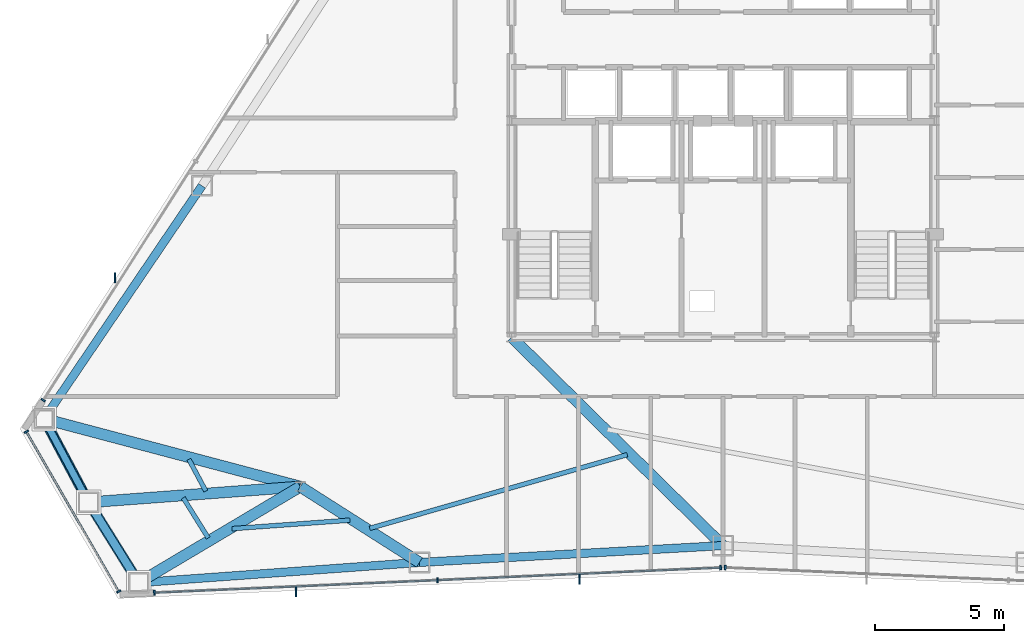
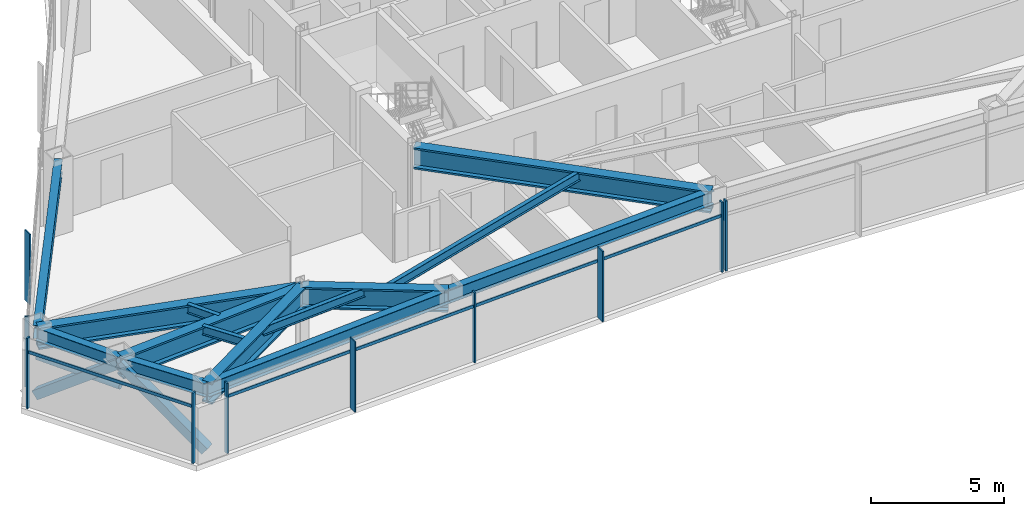
# One storey, part 3 of 13: 15 members, 14 beams, 4 elements without a shape of their own.
"""IFC4 building model written with IfcOpenShell, lengths in metres."""

import ifcopenshell
import ifcopenshell.guid

model = None  # the IFC model being written
_history = None  # IfcOwnerHistory: only IFC2X3 demands one
_inside = {}  # id of a spatial element -> (the spatial element, [elements in it])
_under = {}  # id of a project, library or spatial element -> (it, [spatial elements below it])
_declared = {}  # id of a project -> (the project, [libraries it declares])
_typed = {}  # id of a type object -> (the type object, [elements of that type])
_made_of = {}  # id of a material, layer set ... -> (it, [elements and type objects made of it])


def new_model(schema):
    """Start an empty IFC model of exactly this schema.

    Asked for "IFC4X3", IfcOpenShell would pick the latest addendum, in which some entities
    have other attributes; the version numbers below select the first issue.
    IFC2X3 requires an IfcOwnerHistory on every rooted entity: one is made here for all.
    """
    global model, _history
    if schema == "IFC4X3":
        model = ifcopenshell.file(schema_version=(4, 3, 0, 0))
    else:
        model = ifcopenshell.file(schema=schema)
    _inside.clear()
    _under.clear()
    _declared.clear()
    _typed.clear()
    _made_of.clear()
    _history = None
    if model.schema == "IFC2X3":
        org = make("IfcOrganization", Name="unknown")
        user = make(
            "IfcPersonAndOrganization",
            ThePerson=make("IfcPerson", FamilyName="unknown"),
            TheOrganization=org,
        )
        app = make(
            "IfcApplication",
            ApplicationDeveloper=org,
            Version="unknown",
            ApplicationFullName="unknown",
            ApplicationIdentifier="unknown",
        )
        _history = make(
            "IfcOwnerHistory",
            OwningUser=user,
            OwningApplication=app,
            ChangeAction="ADDED",
            CreationDate=0,
        )
    return model


def make(cls, **values):
    """One entity of the class cls with the attributes given. An attribute that is None is left unset."""
    return model.create_entity(
        cls, **{name: value for name, value in values.items() if value is not None}
    )


def rooted(cls, **values):
    """An entity with a GlobalId (a new one), such as an element, a storey or a relation."""
    return make(cls, GlobalId=ifcopenshell.guid.new(), OwnerHistory=_history, **values)


def si_unit(unit_type, name, prefix=None):
    """IfcSIUnit, for example si_unit("LENGTHUNIT", "METRE", prefix="MILLI")."""
    return make("IfcSIUnit", UnitType=unit_type, Prefix=prefix, Name=name)


def assignment(units):
    """IfcUnitAssignment: the units of a project."""
    return None if units is None else make("IfcUnitAssignment", Units=units)


def point(xyz):
    """IfcCartesianPoint."""
    return None if xyz is None else make("IfcCartesianPoint", Coordinates=xyz)


def direction(xyz):
    """IfcDirection."""
    return None if xyz is None else make("IfcDirection", DirectionRatios=xyz)


def frame(location, z_axis=None, x_axis=None):
    """IfcAxis2Placement3D, a coordinate frame: its origin and axes. An axis left out is left unset."""
    return make(
        "IfcAxis2Placement3D",
        Location=point(location),
        Axis=direction(z_axis),
        RefDirection=direction(x_axis),
    )


def frame_2d(location, x_axis=None):
    """IfcAxis2Placement2D, a coordinate frame in the plane: its origin and x axis."""
    return make(
        "IfcAxis2Placement2D", Location=point(location), RefDirection=direction(x_axis)
    )


def origin():
    """The frame at (0, 0, 0) with its axes left unset."""
    return frame((0.0, 0.0, 0.0))


def origin_2d():
    """The frame at (0, 0) in the plane with its x axis left unset."""
    return frame_2d((0.0, 0.0))


def place(relative_to, where):
    """IfcLocalPlacement: puts the frame where relative to a parent placement (None: the world)."""
    return make(
        "IfcLocalPlacement", PlacementRelTo=relative_to, RelativePlacement=where
    )


def context(
    kind, dimensions, precision=None, world=None, true_north=None, identifier=None
):
    """IfcGeometricRepresentationContext, for example the 3D "Model" context."""
    return make(
        "IfcGeometricRepresentationContext",
        ContextIdentifier=identifier,
        ContextType=kind,
        CoordinateSpaceDimension=dimensions,
        Precision=precision,
        WorldCoordinateSystem=world,
        TrueNorth=true_north,
    )


def subcontext(parent, identifier, kind, view, scale=None):
    """IfcGeometricRepresentationSubContext, for example "Body" below "Model"."""
    return make(
        "IfcGeometricRepresentationSubContext",
        ContextIdentifier=identifier,
        ContextType=kind,
        ParentContext=parent,
        TargetScale=scale,
        TargetView=view,
    )


def project(units=None, contexts=None):
    """IfcProject with its units and contexts."""
    return rooted(
        "IfcProject",
        Name="project",
        RepresentationContexts=contexts,
        UnitsInContext=assignment(units),
    )


def spatial(cls, under=None, at=None, **own):
    """A site, building, storey or space (cls), placed at a placement, below another one or the project."""
    s = rooted(cls, ObjectPlacement=at, **own)
    if under is not None:
        _under.setdefault(under.id(), (under, []))[1].append(s)
    return s


def profile(cls, at=None, kind="AREA", **sizes):
    """A parametric profile (cls). Its sizes go by their IFC names, for example OverallWidth=200.0."""
    return make(cls, ProfileType=kind, Position=at, **sizes)


def rectangle(**sizes):
    """IfcRectangleProfileDef."""
    return profile("IfcRectangleProfileDef", **sizes)


def hollow_rectangle(**sizes):
    """IfcRectangleHollowProfileDef."""
    return profile("IfcRectangleHollowProfileDef", **sizes)


def hollow_circle(**sizes):
    """IfcCircleHollowProfileDef."""
    return profile("IfcCircleHollowProfileDef", **sizes)


def i_section(**sizes):
    """IfcIShapeProfileDef."""
    return profile("IfcIShapeProfileDef", **sizes)


def extrude(swept, where, along, depth):
    """IfcExtrudedAreaSolid: the profile swept, set in the frame where, extruded along a direction by depth."""
    return make(
        "IfcExtrudedAreaSolid",
        SweptArea=swept,
        Position=where,
        ExtrudedDirection=direction(along),
        Depth=depth,
    )


def shape(context_of_items, identifier, shape_type, items):
    """IfcShapeRepresentation: the items that make up one representation, for example the "Body"."""
    return make(
        "IfcShapeRepresentation",
        ContextOfItems=context_of_items,
        RepresentationIdentifier=identifier,
        RepresentationType=shape_type,
        Items=items,
    )


def source(mapping_origin, context_of_items, identifier, shape_type, items):
    """IfcRepresentationMap: a shape defined once, which mapped items show again and again."""
    return make(
        "IfcRepresentationMap",
        MappingOrigin=mapping_origin,
        MappedRepresentation=shape(context_of_items, identifier, shape_type, items),
    )


def transform(
    local_origin,
    x_axis=None,
    y_axis=None,
    z_axis=None,
    scale=None,
    scale2=None,
    scale3=None,
    uniform=True,
):
    """IfcCartesianTransformationOperator3D, or its non-uniform kind. x_axis, y_axis, z_axis: its Axis1, 2, 3."""
    if uniform:
        return make(
            "IfcCartesianTransformationOperator3D",
            Axis1=direction(x_axis),
            Axis2=direction(y_axis),
            LocalOrigin=point(local_origin),
            Scale=scale,
            Axis3=direction(z_axis),
        )
    return make(
        "IfcCartesianTransformationOperator3DnonUniform",
        Axis1=direction(x_axis),
        Axis2=direction(y_axis),
        LocalOrigin=point(local_origin),
        Scale=scale,
        Axis3=direction(z_axis),
        Scale2=scale2,
        Scale3=scale3,
    )


def mapped(mapping_source, mapping_target):
    """IfcMappedItem: shows the shape of a source again, moved by a transform."""
    return make(
        "IfcMappedItem", MappingSource=mapping_source, MappingTarget=mapping_target
    )


def material(Name=None, Category=None):
    """IfcMaterial."""
    return make("IfcMaterial", Name=Name, Category=Category)


def layer(
    of_material, thickness, ventilated=None, Name=None, Category=None, Priority=None
):
    """IfcMaterialLayer: one layer of a wall or slab, of a material (None: an air gap)."""
    return make(
        "IfcMaterialLayer",
        Material=of_material,
        LayerThickness=thickness,
        IsVentilated=ventilated,
        Name=Name,
        Category=Category,
        Priority=Priority,
    )


def layer_set(layers, Name=None):
    """IfcMaterialLayerSet."""
    return make("IfcMaterialLayerSet", MaterialLayers=layers, LayerSetName=Name)


def material_profile(
    of_material, cross_section, Name=None, Category=None, Priority=None
):
    """IfcMaterialProfile: a cross section and its material."""
    return make(
        "IfcMaterialProfile",
        Name=Name,
        Material=of_material,
        Profile=cross_section,
        Priority=Priority,
        Category=Category,
    )


def profile_set(profiles, Name=None, composite=None):
    """IfcMaterialProfileSet."""
    return make(
        "IfcMaterialProfileSet",
        Name=Name,
        MaterialProfiles=profiles,
        CompositeProfile=composite,
    )


def made_of(thing, what):
    """Note that an element or type object is made of a material, layer set ...; save() writes the relation."""
    if what is not None:
        _made_of.setdefault(what.id(), (what, []))[1].append(thing)
    return thing


def type_object(cls, material=None, **own):
    """A type object (cls), such as IfcWallType, which elements share."""
    return made_of(rooted(cls, **own), material)


def type_shapes(of_type, sources):
    """Give a type object the sources (RepresentationMaps) that its elements show as mapped items."""
    of_type.RepresentationMaps = sources


def element(
    cls,
    number,
    at=None,
    inside=None,
    cuts=None,
    type_object=None,
    material=None,
    context=None,
    identifier="Body",
    shape_type=None,
    held_by="IfcProductDefinitionShape",
    body=None,
    shapes=None,
    **own,
):
    """One element of the class cls, such as IfcWall. Its Tag is "e" and its number.

    at: its placement. inside: the storey or other place that contains it. cuts: it is an
    opening in that element (IfcRelVoidsElement). A single representation is given by context,
    identifier, shape_type and body (its items); several are given by shapes. held_by: the class
    of the entity that holds the representations. save() writes the other relations.
    """
    e = rooted(cls, Tag="e%d" % number, ObjectPlacement=at, **own)
    if body is not None:
        shapes = [shape(context, identifier, shape_type, body)]
    if shapes is not None:
        e.Representation = make(held_by, Representations=shapes)
    if inside is not None:
        _inside.setdefault(inside.id(), (inside, []))[1].append(e)
    if cuts is not None:
        rooted(
            "IfcRelVoidsElement", RelatingBuildingElement=cuts, RelatedOpeningElement=e
        )
    if type_object is not None:
        _typed.setdefault(type_object.id(), (type_object, []))[1].append(e)
    return made_of(e, material)


def aggregate(whole, parts):
    """IfcRelAggregates: a whole, such as a stair, and the parts it consists of."""
    return rooted("IfcRelAggregates", RelatingObject=whole, RelatedObjects=parts)


def save(model, path):
    """Write the relations noted so far, then the file.

    IfcRelAggregates (storeys below a building ...), IfcRelContainedInSpatialStructure (elements
    in a storey), IfcRelDefinesByType, IfcRelAssociatesMaterial and IfcRelDeclares: one each for
    every whole, place, type object, material and project.
    """
    for whole, parts in _under.values():
        aggregate(whole, parts)
    for where, things in _inside.values():
        rooted(
            "IfcRelContainedInSpatialStructure",
            RelatedElements=things,
            RelatingStructure=where,
        )
    for kind, things in _typed.values():
        rooted("IfcRelDefinesByType", RelatedObjects=things, RelatingType=kind)
    for what, things in _made_of.values():
        rooted("IfcRelAssociatesMaterial", RelatedObjects=things, RelatingMaterial=what)
    for by, libraries in _declared.values():
        rooted("IfcRelDeclares", RelatingContext=by, RelatedDefinitions=libraries)
    model.write(path)


model = new_model("IFC4")

# Units and contexts
model_context = context("Model", 3, precision=1e-05, world=origin(), true_north=direction((0.0, 1.0)))
body_context = subcontext(model_context, "Body", "Model", "MODEL_VIEW")
ifc_project = project(units=[si_unit("LENGTHUNIT", "METRE"), si_unit("AREAUNIT", "SQUARE_METRE"), si_unit("VOLUMEUNIT", "CUBIC_METRE"), si_unit("PLANEANGLEUNIT", "RADIAN"), si_unit("MASSUNIT", "GRAM", prefix="KILO")], contexts=[model_context])

# Site, building, storey
site_placement = place(None, origin())
site = spatial("IfcSite", under=ifc_project, at=site_placement, CompositionType="ELEMENT")
building_placement = place(site_placement, origin())
building = spatial("IfcBuilding", under=site, at=building_placement, Name="Varakhsha Concourse Tower", CompositionType="ELEMENT")
storey_placement = place(building_placement, frame((0.0, 0.0, 189.60009765625)))
storey = spatial("IfcBuildingStorey", under=building, at=storey_placement, Name="L54", CompositionType="ELEMENT", Elevation=189.60009765625)

# Beams
ifc_material_1 = material(Name="Structural Steel ASTM A992 Grade 50", Category="steel")
ifc_material_profile_1 = material_profile(ifc_material_1, i_section(OverallWidth=0.177978515625, OverallDepth=0.406982421875, WebThickness=0.008056640625, FlangeThickness=0.012939453125, at=origin_2d()), Name="W16X40")
ifc_profile_set_1 = profile_set([ifc_material_profile_1], Name="Structural Steel ASTM A992 Grade 50")
beam_type_1 = type_object("IfcBeamType", Name="BM-JST-W16X40", PredefinedType="JOIST", material=ifc_profile_set_1)
beam_1_placement = place(storey_placement, frame((19.27880859375, 11.660400390625, 3.00634765625), z_axis=(0.47050649777, -0.88239652966, 0.0), x_axis=(0.88239652966, 0.47050649777, 0.0)))
element("IfcBeam", 1, at=beam_1_placement, inside=storey, type_object=beam_type_1, Name="BM-TJST-L54-07", PredefinedType="JOIST", context=body_context, shape_type="SweptSolid", body=[
    extrude(i_section(OverallWidth=0.177978515625, OverallDepth=0.406982421875, WebThickness=0.008056640625, FlangeThickness=0.012939453125, at=origin_2d()), origin(), (0.0, 0.0, 1.0), 1.395263671875),
])
beam_2_placement = place(storey_placement, frame((19.06005859375, 10.16552734375, 3.00634765625), z_axis=(0.528910929319, -0.848677340835, 0.0), x_axis=(0.848677340835, 0.528910929319, 0.0)))
element("IfcBeam", 2, at=beam_2_placement, inside=storey, type_object=beam_type_1, Name="BM-TJST-L54-08", PredefinedType="JOIST", context=body_context, shape_type="SweptSolid", body=[
    extrude(i_section(OverallWidth=0.177978515625, OverallDepth=0.406982421875, WebThickness=0.008056640625, FlangeThickness=0.012939453125, at=origin_2d()), origin(), (0.0, 0.0, 1.0), 1.836181640625),
])
beam_3_placement = place(storey_placement, frame((20.951416015625, 8.96875, 3.00634765625), z_axis=(0.99741745466, 0.071822149372, 0.0), x_axis=(-0.071822149372, 0.99741745466, 0.0)))
element("IfcBeam", 3, at=beam_3_placement, inside=storey, type_object=beam_type_1, Name="BM-TJST-L54-09", PredefinedType="JOIST", context=body_context, shape_type="SweptSolid", body=[
    extrude(i_section(OverallWidth=0.177978515625, OverallDepth=0.406982421875, WebThickness=0.008056640625, FlangeThickness=0.012939453125, at=origin_2d()), origin(), (0.0, 0.0, 1.0), 4.585693359375),
])
beam_4_placement = place(storey_placement, frame((26.29541015625, 8.9833984375, 3.00634765625), z_axis=(0.961449438596, 0.274981775801, 0.0), x_axis=(-0.274981775801, 0.961449438596, 0.0)))
element("IfcBeam", 4, at=beam_4_placement, inside=storey, type_object=beam_type_1, Name="BM-TJST-L54-10", PredefinedType="JOIST", context=body_context, shape_type="SweptSolid", body=[
    extrude(i_section(OverallWidth=0.177978515625, OverallDepth=0.406982421875, WebThickness=0.008056640625, FlangeThickness=0.012939453125, at=origin_2d()), origin(), (0.0, 0.0, 1.0), 10.391357421875),
])
ifc_material_profile_2 = material_profile(ifc_material_1, i_section(OverallWidth=0.323974609375, OverallDepth=0.611083984375, WebThickness=0.012939453125, FlangeThickness=0.01904296875, at=origin_2d()), Name="W24X104")
ifc_profile_set_2 = profile_set([ifc_material_profile_2], Name="Structural Steel ASTM A992 Grade 50")
beam_type_2 = type_object("IfcBeamType", Name="BM-SPAN-W24X104", PredefinedType="SPANDREL", material=ifc_profile_set_2)
beam_5_placement = place(storey_placement, frame((19.78759765625, 22.2724609375, 2.904296875), z_axis=(-0.560946995481, -0.827851718764, 0.0), x_axis=(0.827851718764, -0.560946995481, 0.0)))
element("IfcBeam", 5, at=beam_5_placement, inside=storey, type_object=beam_type_2, Name="BM-SPAN-L54-06", PredefinedType="SPANDREL", context=body_context, shape_type="SweptSolid", body=[
    extrude(i_section(OverallWidth=0.323974609375, OverallDepth=0.611083984375, WebThickness=0.012939453125, FlangeThickness=0.01904296875, at=origin_2d()), origin(), (0.0, 0.0, 1.0), 10.921630859375),
])
beam_6_placement = place(storey_placement, frame((13.6611328125, 13.23095703125, 2.904296875), z_axis=(0.470595137047, -0.882349260207, 0.0), x_axis=(0.882349260207, 0.470595137047, 0.0)))
element("IfcBeam", 6, at=beam_6_placement, inside=storey, type_object=beam_type_2, Name="BM-SPAN-L54-07", PredefinedType="SPANDREL", context=body_context, shape_type="SweptSolid", body=[
    extrude(i_section(OverallWidth=0.323974609375, OverallDepth=0.611083984375, WebThickness=0.012939453125, FlangeThickness=0.01904296875, at=origin_2d()), origin(), (0.0, 0.0, 1.0), 3.672119140625),
])
beam_7_placement = place(storey_placement, frame((15.38916015625, 9.990966796875, 2.904296875), z_axis=(0.528844996181, -0.848718427993, 0.0), x_axis=(0.848718427993, 0.528844996181, 0.0)))
element("IfcBeam", 7, at=beam_7_placement, inside=storey, type_object=beam_type_2, Name="BM-SPAN-L54-08", PredefinedType="SPANDREL", context=body_context, shape_type="SweptSolid", body=[
    extrude(i_section(OverallWidth=0.323974609375, OverallDepth=0.611083984375, WebThickness=0.012939453125, FlangeThickness=0.01904296875, at=origin_2d()), origin(), (0.0, 0.0, 1.0), 3.671875),
])
beam_8_placement = place(storey_placement, frame((17.3310546875, 6.87451171875, 2.904296875), z_axis=(0.997414254254, 0.071866580624, 0.0), x_axis=(-0.071866580624, 0.997414254254, 0.0)))
element("IfcBeam", 8, at=beam_8_placement, inside=storey, type_object=beam_type_2, Name="BM-SPAN-L54-09", PredefinedType="SPANDREL", context=body_context, shape_type="SweptSolid", body=[
    extrude(i_section(OverallWidth=0.323974609375, OverallDepth=0.611083984375, WebThickness=0.012939453125, FlangeThickness=0.01904296875, at=origin_2d()), origin(), (0.0, 0.0, 1.0), 10.921875),
])
beam_9_placement = place(storey_placement, frame((28.224609375, 7.659423828125, 2.904296875), z_axis=(0.998465571879, 0.055376003582, 0.0), x_axis=(-0.055376003582, 0.998465571879, 0.0)))
element("IfcBeam", 9, at=beam_9_placement, inside=storey, type_object=beam_type_2, Name="BM-SPAN-L54-10", PredefinedType="SPANDREL", context=body_context, shape_type="SweptSolid", body=[
    extrude(i_section(OverallWidth=0.323974609375, OverallDepth=0.611083984375, WebThickness=0.012939453125, FlangeThickness=0.01904296875, at=origin_2d()), origin(), (0.0, 0.0, 1.0), 11.79345703125),
])
ifc_material_profile_3 = material_profile(ifc_material_1, i_section(OverallWidth=0.427978515625, OverallDepth=0.97509765625, WebThickness=0.050048828125, FlangeThickness=0.0810546875, at=origin_2d()), Name="W36X395")
ifc_profile_set_3 = profile_set([ifc_material_profile_3], Name="Structural Steel ASTM A992 Grade 50")
beam_type_3 = type_object("IfcBeamType", Name="BM-XFER-W36X395", PredefinedType="USERDEFINED", material=ifc_profile_set_3)
beam_10_placement = place(storey_placement, frame((23.60009765625, 10.60009765625, 2.722412109375), z_axis=(-0.966706264469, 0.255888644213, 0.0), x_axis=(-0.255888644213, -0.966706264469, 0.0)))
element("IfcBeam", 10, at=beam_10_placement, inside=storey, type_object=beam_type_3, Name="L54 Radial Floor Girder 07", ObjectType="GIRDER", PredefinedType="USERDEFINED", context=body_context, shape_type="SweptSolid", body=[
    extrude(i_section(OverallWidth=0.427978515625, OverallDepth=0.97509765625, WebThickness=0.050048828125, FlangeThickness=0.0810546875, at=origin_2d()), origin(), (0.0, 0.0, 1.0), 10.28125),
])
beam_11_placement = place(storey_placement, frame((23.60009765625, 10.60009765625, 2.722412109375), z_axis=(-0.997259576834, -0.073982000601, 0.0), x_axis=(0.073982000601, -0.997259576834, 0.0)))
element("IfcBeam", 11, at=beam_11_placement, inside=storey, type_object=beam_type_3, Name="L54 Radial Floor Girder 08", ObjectType="GIRDER", PredefinedType="USERDEFINED", context=body_context, shape_type="SweptSolid", body=[
    extrude(i_section(OverallWidth=0.427978515625, OverallDepth=0.97509765625, WebThickness=0.050048828125, FlangeThickness=0.0810546875, at=origin_2d()), origin(), (0.0, 0.0, 1.0), 8.2333984375),
])
beam_12_placement = place(storey_placement, frame((23.60009765625, 10.60009765625, 2.722412109375), z_axis=(-0.859653517762, -0.510877509193, 0.0), x_axis=(0.510877509193, -0.859653517762, 0.0)))
element("IfcBeam", 12, at=beam_12_placement, inside=storey, type_object=beam_type_3, Name="L54 Radial Floor Girder 09", ObjectType="GIRDER", PredefinedType="USERDEFINED", context=body_context, shape_type="SweptSolid", body=[
    extrude(i_section(OverallWidth=0.427978515625, OverallDepth=0.97509765625, WebThickness=0.050048828125, FlangeThickness=0.0810546875, at=origin_2d()), origin(), (0.0, 0.0, 1.0), 7.29248046875),
])
beam_13_placement = place(storey_placement, frame((23.60009765625, 10.60009765625, 2.722412109375), z_axis=(0.843843041269, -0.536590087218, 0.0), x_axis=(0.536590087218, 0.843843041269, 0.0)))
element("IfcBeam", 13, at=beam_13_placement, inside=storey, type_object=beam_type_3, Name="L54 Radial Floor Girder 10", ObjectType="GIRDER", PredefinedType="USERDEFINED", context=body_context, shape_type="SweptSolid", body=[
    extrude(i_section(OverallWidth=0.427978515625, OverallDepth=0.97509765625, WebThickness=0.050048828125, FlangeThickness=0.0810546875, at=origin_2d()), origin(), (0.0, 0.0, 1.0), 5.480224609375),
])
beam_14_placement = place(storey_placement, frame((31.800048828125, 16.39990234375, 2.722412109375), z_axis=(0.711976030117, -0.702203768531, 0.0), x_axis=(0.702203768531, 0.711976030117, 0.0)))
element("IfcBeam", 14, at=beam_14_placement, inside=storey, type_object=beam_type_3, Name="L54 Radial Floor Girder 11", ObjectType="GIRDER", PredefinedType="USERDEFINED", context=body_context, shape_type="SweptSolid", body=[
    extrude(i_section(OverallWidth=0.427978515625, OverallDepth=0.97509765625, WebThickness=0.050048828125, FlangeThickness=0.0810546875, at=origin_2d()), origin(), (0.0, 0.0, 1.0), 11.51708984375),
])

# Members
ifc_material_2 = material(Name="Structural Steel ASTM A500 Grade C", Category="steel")
ifc_material_profile_4 = material_profile(ifc_material_2, hollow_rectangle(XDim=0.39990234375, YDim=0.39990234375, WallThickness=0.01611328125, at=origin_2d()), Name="HSS 400x400x16")
ifc_profile_set_4 = profile_set([ifc_material_profile_4], Name="Structural Steel ASTM A500 Grade C")
member_type_1 = type_object("IfcMemberType", Name="MB-TUBE-HSS400", PredefinedType="BRACE", material=ifc_profile_set_4)
shared_shape_1 = source(origin(), body_context, "Body", "SweptSolid", [
    extrude(hollow_rectangle(XDim=0.39990234375, YDim=0.39990234375, WallThickness=0.01611328125, at=origin_2d()), origin(), (0.0, 0.0, 1.0), 4.61181640625),
])
member_1_placement = place(storey_placement, frame((13.6611328125, 13.23095703125, 0.119873046875), z_axis=(0.37470368715, -0.702556178604, 0.60498922531), x_axis=(0.882349260207, 0.470595137047, 0.0)))
element("IfcMember", 15, at=member_1_placement, inside=storey, type_object=member_type_1, Name="L54 Wind-Corner Tube Brace B03", PredefinedType="BRACE", context=body_context, shape_type="MappedRepresentation", body=[
    mapped(shared_shape_1, transform((0.0, 0.0, 0.0), scale=1.0)),
])
shared_shape_2 = source(origin(), body_context, "Body", "SweptSolid", [
    extrude(hollow_rectangle(XDim=0.39990234375, YDim=0.39990234375, WallThickness=0.01611328125, at=origin_2d()), origin(), (0.0, 0.0, 1.0), 4.611572265625),
])
type_shapes(member_type_1, [shared_shape_1, shared_shape_2])
member_2_placement = place(storey_placement, frame((17.3310546875, 6.87451171875, 0.119873046875), z_axis=(-0.421082078915, 0.675774797253, 0.604994467921), x_axis=(-0.848718427993, -0.528844996181, 0.0)))
element("IfcMember", 16, at=member_2_placement, inside=storey, type_object=member_type_1, Name="L54 Wind-Corner Tube Brace B04", PredefinedType="BRACE", context=body_context, shape_type="MappedRepresentation", body=[
    mapped(shared_shape_2, transform((0.0, 0.0, 0.0), scale=1.0)),
])
ifc_material_profile_5 = material_profile(ifc_material_2, hollow_circle(Radius=0.136474609375, WallThickness=0.011962890625, at=origin_2d()), Name="CHS 273x12")
ifc_profile_set_5 = profile_set([ifc_material_profile_5], Name="Structural Steel ASTM A500 Grade C")
member_type_2 = type_object("IfcMemberType", Name="MB-WIND-CHS273", PredefinedType="COLLAR", material=ifc_profile_set_5)
shared_shape_3 = source(origin(), body_context, "Body", "SweptSolid", [
    extrude(hollow_circle(Radius=0.136474609375, WallThickness=0.011962890625, at=origin_2d()), origin(), (0.0, 0.0, 1.0), 3.672119140625),
])
type_shapes(member_type_2, [shared_shape_3])
member_3_placement = place(storey_placement, frame((13.6611328125, 13.23095703125, 1.7998046875), z_axis=(0.470595137047, -0.882349260207, 0.0), x_axis=(0.882349260207, 0.470595137047, 0.0)))
element("IfcMember", 17, at=member_3_placement, inside=storey, type_object=member_type_2, Name="L54 Wind-Corner Collar Tie 2", PredefinedType="COLLAR", context=body_context, shape_type="MappedRepresentation", body=[
    mapped(shared_shape_3, transform((0.0, 0.0, 0.0), scale=1.0)),
])

# Curtain wall, member
ifc_material_3 = material(Name="Anodised Bronze Architectural Aluminium AA 6063-T6", Category="aluminium")
ifc_layer = layer(ifc_material_3, 0.2099609375, Name="CW-SYS-04")
ifc_layer_set = layer_set([ifc_layer], Name="Anodised Bronze Architectural Aluminium AA 6063-T6")
curtain_wall_type = type_object("IfcCurtainWallType", Name="CW-SYS-04", PredefinedType="NOTDEFINED", material=ifc_layer_set)
curtain_wall_1_placement = place(storey_placement, origin())
curtain_wall_1 = element("IfcCurtainWall", 18, at=curtain_wall_1_placement, inside=storey, type_object=curtain_wall_type, Name="L54 Crystal Curtain Wall F3", PredefinedType="NOTDEFINED")
ifc_material_profile_6 = material_profile(ifc_material_3, rectangle(XDim=0.06005859375, YDim=0.3798828125, at=origin_2d()), Name="FIN-BRZ-380")
ifc_profile_set_6 = profile_set([ifc_material_profile_6], Name="Anodised Bronze Architectural Aluminium AA 6063-T6")
member_type_3 = type_object("IfcMemberType", Name="FIN-BRZ-380", PredefinedType="USERDEFINED", material=ifc_profile_set_6)
shared_shape_4 = source(origin(), body_context, "Body", "SweptSolid", [
    extrude(rectangle(XDim=0.06005859375, YDim=0.3798828125, at=origin_2d()), origin(), (0.0, 0.0, 1.0), 3.2099609375),
])
type_shapes(member_type_3, [shared_shape_4])
member_4_placement = place(storey_placement, frame((16.410400390625, 18.698974609375, 0.0), z_axis=(0.0, 0.0, 1.0), x_axis=(1.0, 0.0, 0.0)))
member_4 = element("IfcMember", 19, at=member_4_placement, type_object=member_type_3, Name="L54 Anodised Bronze Solar Fin F3-1", ObjectType="SOLAR FIN", PredefinedType="USERDEFINED", context=body_context, shape_type="MappedRepresentation", body=[
    mapped(shared_shape_4, transform((0.0, 0.0, 0.0), scale=1.0)),
])

# Curtain wall, members
curtain_wall_2_placement = place(storey_placement, origin())
curtain_wall_2 = element("IfcCurtainWall", 20, at=curtain_wall_2_placement, inside=storey, type_object=curtain_wall_type, Name="L54 Crystal Curtain Wall F5", PredefinedType="NOTDEFINED")
member_5_placement = place(storey_placement, frame((34.428466796875, 7.008544921875, 0.0), z_axis=(0.0, 0.0, 1.0), x_axis=(1.0, 0.0, 0.0)))
member_5 = element("IfcMember", 21, at=member_5_placement, type_object=member_type_3, Name="L54 Anodised Bronze Solar Fin F5-1", ObjectType="SOLAR FIN", PredefinedType="USERDEFINED", context=body_context, shape_type="MappedRepresentation", body=[
    mapped(shared_shape_4, transform((0.0, 0.0, 0.0), scale=1.0)),
])
member_6_placement = place(storey_placement, frame((23.441162109375, 6.521484375, 0.0), z_axis=(0.0, 0.0, 1.0), x_axis=(1.0, 0.0, 0.0)))
member_6 = element("IfcMember", 22, at=member_6_placement, type_object=member_type_3, Name="L54 Anodised Bronze Solar Fin F5-2", ObjectType="SOLAR FIN", PredefinedType="USERDEFINED", context=body_context, shape_type="MappedRepresentation", body=[
    mapped(shared_shape_4, transform((0.0, 0.0, 0.0), scale=1.0)),
])

# Member
ifc_material_profile_7 = material_profile(ifc_material_3, rectangle(XDim=0.06494140625, YDim=0.179931640625, at=origin_2d()), Name="CWM-180X65")
ifc_profile_set_7 = profile_set([ifc_material_profile_7], Name="Anodised Bronze Architectural Aluminium AA 6063-T6")
member_type_4 = type_object("IfcMemberType", Name="CWM-180X65", PredefinedType="MULLION", material=ifc_profile_set_7)
shared_shape_5 = source(origin(), body_context, "Body", "SweptSolid", [
    extrude(rectangle(XDim=0.06494140625, YDim=0.179931640625, at=origin_2d()), origin(), (0.0, 0.0, 1.0), 3.2099609375),
])
type_shapes(member_type_4, [shared_shape_5])
member_7_placement = place(storey_placement, frame((13.62548828125, 13.952880859375, 0.0), z_axis=(0.0, 0.0, 1.0), x_axis=(0.537863262638, 0.84303209352, 0.0)))
member_7 = element("IfcMember", 23, at=member_7_placement, type_object=member_type_4, Name="CW-L54-F3 Mullion 00", PredefinedType="MULLION", context=body_context, shape_type="MappedRepresentation", body=[
    mapped(shared_shape_5, transform((0.0, 0.0, 0.0), scale=1.0)),
])

aggregate(curtain_wall_1, [member_7, member_4])

# Curtain wall, members
curtain_wall_3_placement = place(storey_placement, origin())
curtain_wall_3 = element("IfcCurtainWall", 24, at=curtain_wall_3_placement, inside=storey, type_object=curtain_wall_type, Name="L54 Chamfer Curtain Wall F4", PredefinedType="NOTDEFINED")
member_8_placement = place(storey_placement, frame((16.5556640625, 6.530517578125, 0.0), z_axis=(0.0, 0.0, 1.0), x_axis=(-0.499996976998, 0.866027149108, 0.0)))
member_8 = element("IfcMember", 25, at=member_8_placement, type_object=member_type_4, Name="CW-L54-F4 Mullion 00", PredefinedType="MULLION", context=body_context, shape_type="MappedRepresentation", body=[
    mapped(shared_shape_5, transform((0.0, 0.0, 0.0), scale=1.0)),
])
member_9_placement = place(storey_placement, frame((12.9755859375, 12.731201171875, 0.0), z_axis=(0.0, 0.0, 1.0), x_axis=(-0.499996976998, 0.866027149108, 0.0)))
member_9 = element("IfcMember", 26, at=member_9_placement, type_object=member_type_4, Name="CW-L54-F4 Mullion 01", PredefinedType="MULLION", context=body_context, shape_type="MappedRepresentation", body=[
    mapped(shared_shape_5, transform((0.0, 0.0, 0.0), scale=1.0)),
])

# Member
member_10_placement = place(storey_placement, frame((39.9130859375, 7.456787109375, 0.0), z_axis=(0.0, 0.0, 1.0), x_axis=(-0.999018917807, -0.04428545883, 0.0)))
member_10 = element("IfcMember", 27, at=member_10_placement, type_object=member_type_4, Name="CW-L54-F5 Mullion 00", PredefinedType="MULLION", context=body_context, shape_type="MappedRepresentation", body=[
    mapped(shared_shape_5, transform((0.0, 0.0, 0.0), scale=1.0)),
])

member_11_placement = place(storey_placement, frame((28.92578125, 6.9697265625, 0.0), z_axis=(0.0, 0.0, 1.0), x_axis=(-0.999018917807, -0.04428545883, 0.0)))
member_11 = element("IfcMember", 28, at=member_11_placement, type_object=member_type_4, Name="CW-L54-F5 Mullion 01", PredefinedType="MULLION", context=body_context, shape_type="MappedRepresentation", body=[
    mapped(shared_shape_5, transform((0.0, 0.0, 0.0), scale=1.0)),
])

member_12_placement = place(storey_placement, frame((17.9384765625, 6.482666015625, 0.0), z_axis=(0.0, 0.0, 1.0), x_axis=(-0.999018917807, -0.04428545883, 0.0)))
member_12 = element("IfcMember", 29, at=member_12_placement, type_object=member_type_4, Name="CW-L54-F5 Mullion 02", PredefinedType="MULLION", context=body_context, shape_type="MappedRepresentation", body=[
    mapped(shared_shape_5, transform((0.0, 0.0, 0.0), scale=1.0)),
])

# Curtain wall, member
curtain_wall_4_placement = place(storey_placement, origin())
curtain_wall_4 = element("IfcCurtainWall", 30, at=curtain_wall_4_placement, inside=storey, type_object=curtain_wall_type, Name="L54 Crystal Curtain Wall F6", PredefinedType="NOTDEFINED")
member_13_placement = place(storey_placement, frame((40.0869140625, 7.456787109375, 0.0), z_axis=(0.0, 0.0, 1.0), x_axis=(-0.999018917807, 0.04428545883, 0.0)))
member_13 = element("IfcMember", 31, at=member_13_placement, type_object=member_type_4, Name="CW-L54-F6 Mullion 02", PredefinedType="MULLION", context=body_context, shape_type="MappedRepresentation", body=[
    mapped(shared_shape_5, transform((0.0, 0.0, 0.0), scale=1.0)),
])
aggregate(curtain_wall_4, [member_13])

# Member
ifc_material_profile_8 = material_profile(ifc_material_3, rectangle(XDim=0.06005859375, YDim=0.139892578125, at=origin_2d()), Name="CWT-140X60")
ifc_profile_set_8 = profile_set([ifc_material_profile_8], Name="Anodised Bronze Architectural Aluminium AA 6063-T6")
member_type_5 = type_object("IfcMemberType", Name="CWT-140X60", PredefinedType="USERDEFINED", material=ifc_profile_set_8)
shared_shape_6 = source(origin(), body_context, "Body", "SweptSolid", [
    extrude(rectangle(XDim=0.06005859375, YDim=0.139892578125, at=origin_2d()), origin(), (0.0, 0.0, 1.0), 21.99609375),
])
member_14_placement = place(storey_placement, frame((39.9130859375, 7.456787109375, 2.559814453125), z_axis=(-0.999018898193, -0.044285901295, 0.0), x_axis=(0.044285901295, -0.999018898193, 0.0)))
member_14 = element("IfcMember", 32, at=member_14_placement, type_object=member_type_5, Name="CW-L54-F5 Transom 01", ObjectType="TRANSOM", PredefinedType="USERDEFINED", context=body_context, shape_type="MappedRepresentation", body=[
    mapped(shared_shape_6, transform((0.0, 0.0, 0.0), scale=1.0)),
])

aggregate(curtain_wall_2, [member_10, member_11, member_12, member_14, member_5, member_6])

shared_shape_7 = source(origin(), body_context, "Body", "SweptSolid", [
    extrude(rectangle(XDim=0.06005859375, YDim=0.139892578125, at=origin_2d()), origin(), (0.0, 0.0, 1.0), 7.159912109375),
])
type_shapes(member_type_5, [shared_shape_6, shared_shape_7])
member_15_placement = place(storey_placement, frame((16.5556640625, 6.530517578125, 2.559814453125), z_axis=(-0.500011709085, 0.866018643436, 0.0), x_axis=(-0.866018643436, -0.500011709085, 0.0)))
member_15 = element("IfcMember", 33, at=member_15_placement, type_object=member_type_5, Name="CW-L54-F4 Transom 01", ObjectType="TRANSOM", PredefinedType="USERDEFINED", context=body_context, shape_type="MappedRepresentation", body=[
    mapped(shared_shape_7, transform((0.0, 0.0, 0.0), scale=1.0)),
])

aggregate(curtain_wall_3, [member_8, member_9, member_15])

save(model, "model.ifc")
